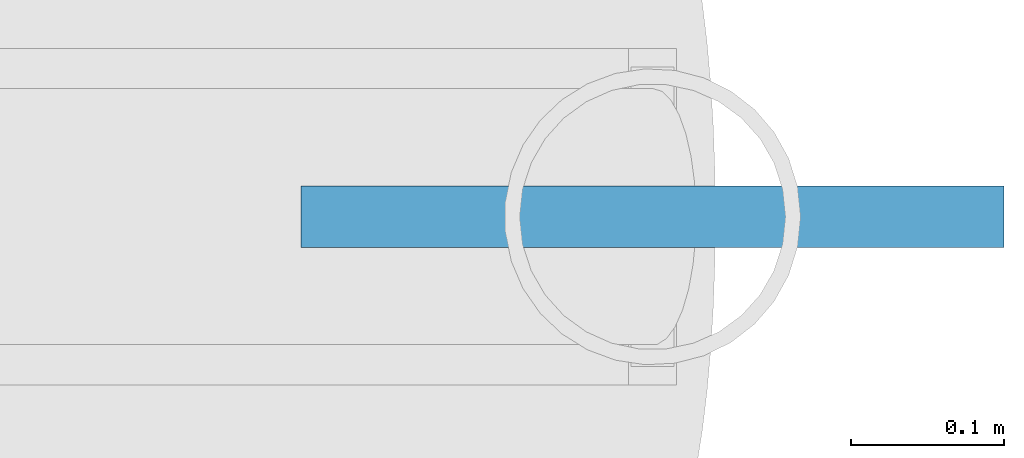
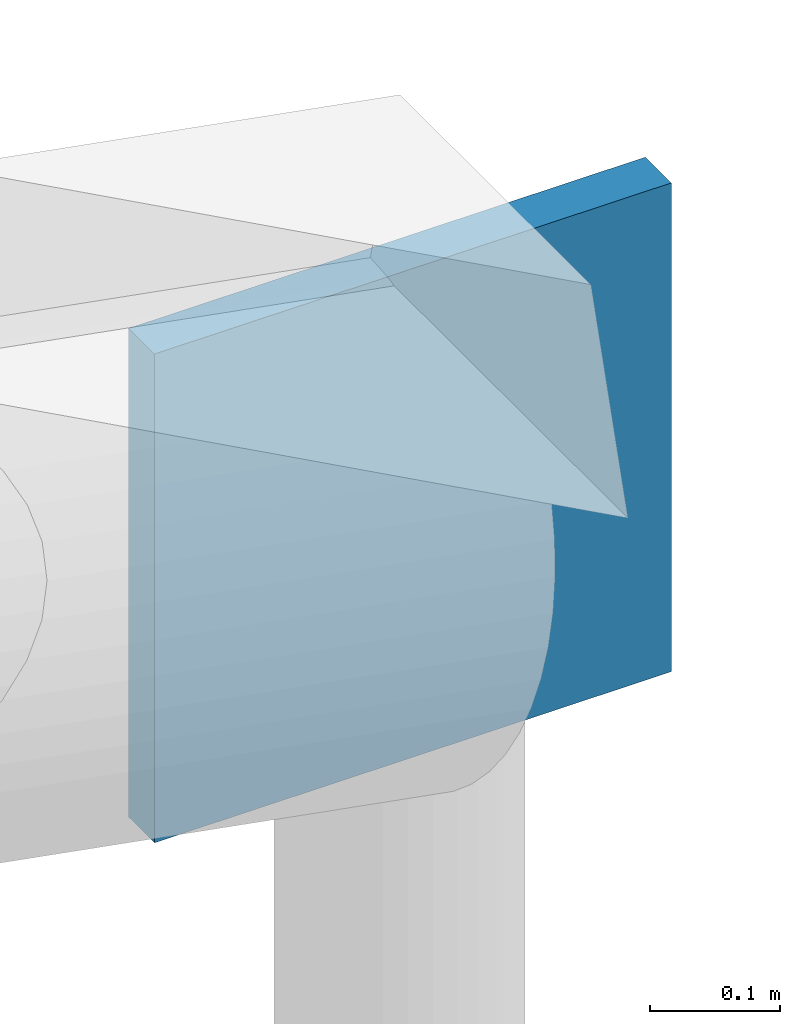
# One storey, part 28 of 28: 1 plate.
"""IFC4 building model written with IfcOpenShell, lengths in metres."""

from ifc_helpers import new_model, si_unit, direction, frame, origin, origin_2d, place, context, subcontext, project, spatial, rectangle, extrude, material, layer, layer_set, type_object, element, save


model = new_model("IFC4")

# Units and contexts
model_context = context("Model", 3, precision=1e-05, world=origin(), true_north=direction((0.0, 1.0)))
body_context = subcontext(model_context, "Body", "Model", "MODEL_VIEW")
ifc_project = project(units=[si_unit("LENGTHUNIT", "METRE"), si_unit("AREAUNIT", "SQUARE_METRE"), si_unit("VOLUMEUNIT", "CUBIC_METRE"), si_unit("PLANEANGLEUNIT", "RADIAN"), si_unit("MASSUNIT", "GRAM", prefix="KILO"), si_unit("THERMODYNAMICTEMPERATUREUNIT", "KELVIN"), si_unit("POWERUNIT", "WATT")], contexts=[model_context])

# Site, building, storey
site_placement = place(None, origin())
site = spatial("IfcSite", under=ifc_project, at=site_placement, CompositionType="ELEMENT")
building_placement = place(site_placement, origin())
building = spatial("IfcBuilding", under=site, at=building_placement, Name="Tepalcoro Natatorium and Aquatics Centre", CompositionType="ELEMENT")
storey_placement = place(building_placement, frame((0.0, 0.0, 23.199951171875)))
storey = spatial("IfcBuildingStorey", under=building, at=storey_placement, Name="RF", CompositionType="ELEMENT", Elevation=23.199951171875)

# Plate
ifc_material = material(Name="Plate Steel ASTM A572 Grade 50 (Fy 345 MPa)", Category="steel")
ifc_layer = layer(ifc_material, 0.0400390625)
ifc_layer_set = layer_set([ifc_layer], Name="Plate Steel ASTM A572 Grade 50 (Fy 345 MPa)")
plate_type = type_object("IfcPlateType", Name="PL_GUSSET_40", PredefinedType="USERDEFINED", material=ifc_layer_set)
plate_placement = place(storey_placement, frame((176.0, 59.0, -3.92138671875), z_axis=(0.0, 0.0, 1.0), x_axis=(1.0, 0.0, 0.0)))
element("IfcPlate", 1, at=plate_placement, inside=storey, type_object=plate_type, Name="Truss Node Gusset Plate V2T_7", ObjectType="GUSSET PLATE", PredefinedType="USERDEFINED", context=body_context, shape_type="SweptSolid", body=[
    extrude(rectangle(XDim=0.4599609375, YDim=0.0400390625, at=origin_2d()), origin(), (0.0, 0.0, 1.0), 0.4599609375),
])

save(model, "model.ifc")
